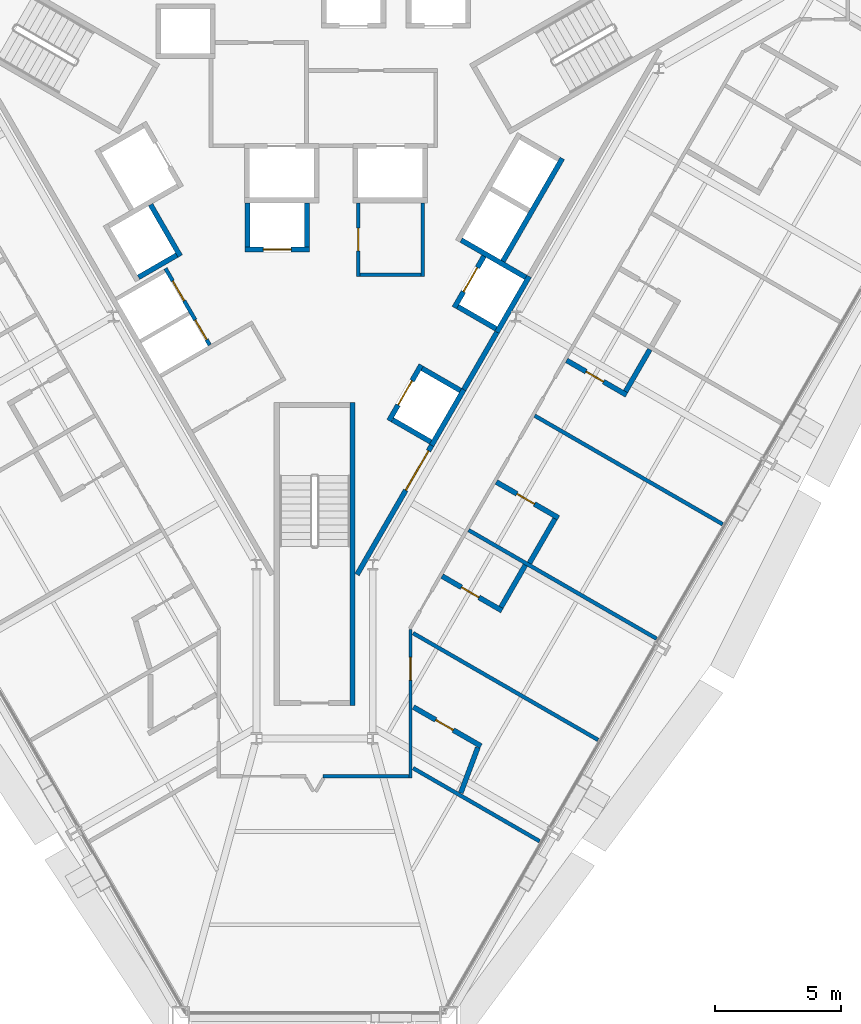
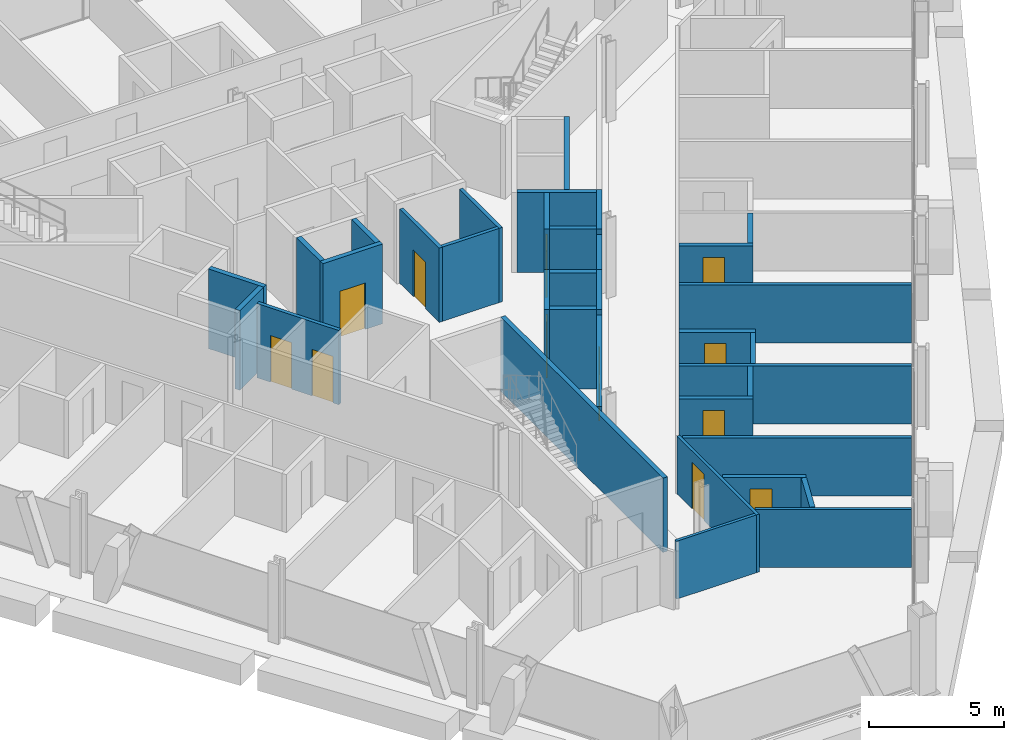
# One storey, part 11 of 17: 35 walls, 12 doors, 12 openings.
"""IFC4 building model written with IfcOpenShell, lengths in metres."""

from ifc_helpers import new_model, si_unit, direction, frame, frame_2d, origin, place, context, subcontext, project, spatial, rectangle, extrude, material, layer, layer_set, type_object, element, fill, save


model = new_model("IFC4")

# Units and contexts
model_context = context("Model", 3, precision=1e-05, world=origin(), true_north=direction((0.0, 1.0)))
body_context = subcontext(model_context, "Body", "Model", "MODEL_VIEW")
ifc_project = project(units=[si_unit("LENGTHUNIT", "METRE"), si_unit("AREAUNIT", "SQUARE_METRE"), si_unit("VOLUMEUNIT", "CUBIC_METRE"), si_unit("PLANEANGLEUNIT", "RADIAN"), si_unit("MASSUNIT", "GRAM", prefix="KILO")], contexts=[model_context])

# Site, building, storey
site_placement = place(None, origin())
site = spatial("IfcSite", under=ifc_project, at=site_placement, CompositionType="ELEMENT")
building_placement = place(site_placement, origin())
building = spatial("IfcBuilding", under=site, at=building_placement, Name="Verrane Prism Tower", CompositionType="ELEMENT")
storey_placement = place(building_placement, frame((0.0, 0.0, 40.39990234375)))
storey = spatial("IfcBuildingStorey", under=building, at=storey_placement, Name="L07", CompositionType="ELEMENT", Elevation=40.39990234375)

# Wall, opening, door
ifc_material_1 = material(Name="Gypsum board partition", Category="other")
ifc_layer_1 = layer(ifc_material_1, 0.199951171875)
ifc_layer_set_1 = layer_set([ifc_layer_1], Name="CW-200 core boundary wall 2 h")
wall_type_1 = type_object("IfcWallType", Name="CW-200 core boundary wall 2 h", PredefinedType="PARTITIONING", material=ifc_layer_set_1)
wall_1_placement = place(storey_placement, frame((1.677490234375, -14.814697265625, 0.0), z_axis=(0.0, 0.0, 1.0), x_axis=(0.49999445743, 0.866028603765, 0.0)))
wall_1 = element("IfcWall", 1, at=wall_1_placement, inside=storey, type_object=wall_type_1, Name="Core boundary wall CW3-010", PredefinedType="PARTITIONING", context=body_context, shape_type="SweptSolid", body=[
    extrude(rectangle(XDim=5.90478515625, YDim=0.199951171875, at=frame_2d((2.952392578125, 0.0))), origin(), (0.0, 0.0, 1.0), 3.35009765625),
])
opening_1_placement = place(wall_1_placement, frame((3.85498046875, 0.0, 0.0)))
opening_1 = element("IfcOpeningElement", 2, at=opening_1_placement, cuts=wall_1, Name="Opening D06530", PredefinedType="OPENING", context=body_context, shape_type="SweptSolid", body=[
    extrude(rectangle(XDim=1.800048828125, YDim=2.10009765625, at=frame_2d((0.89990234375, 1.050048828125))), frame((0.0, 0.10986328125, 0.0), z_axis=(0.0, -1.0, 0.0), x_axis=(1.0, 0.0, 0.0)), (0.0, 0.0, 1.0), 0.219970703125),
])
ifc_material_2 = material(Name="Timber veneered door leaf", Category="wood")
door_type_1 = type_object("IfcDoorType", Name="DR-1800x2100 FD60 double leaf lift lobby", OperationType="NOTDEFINED", PredefinedType="DOOR", material=ifc_material_2)
door_1_placement = place(opening_1_placement, origin())
door_1 = element("IfcDoor", 3, at=door_1_placement, inside=storey, type_object=door_type_1, Name="Lift lobby door D06530", OperationType="DOUBLE_DOOR_SINGLE_SWING", OverallHeight=2.10009765625, OverallWidth=1.800048828125, PredefinedType="DOOR", context=body_context, shape_type="SweptSolid", body=[
    extrude(rectangle(XDim=1.800048828125, YDim=2.10009765625, at=frame_2d((0.89990234375, 1.050048828125))), frame((0.0, 0.02490234375, 0.0), z_axis=(0.0, -1.0, 0.0), x_axis=(1.0, 0.0, 0.0)), (0.0, 0.0, 1.0), 0.050048828125),
])
fill(opening_1, door_1)

# Walls
wall_2_placement = place(storey_placement, frame((5.906005859375, -7.489990234375, 0.0), z_axis=(0.0, 0.0, 1.0), x_axis=(0.500252727967, 0.865879442048, 0.0)))
element("IfcWall", 4, at=wall_2_placement, inside=storey, type_object=wall_type_1, Name="Core boundary wall CW3-012", PredefinedType="PARTITIONING", context=body_context, shape_type="SweptSolid", body=[
    extrude(rectangle(XDim=2.616943359375, YDim=0.199951171875, at=frame_2d((1.30859375, 0.0))), origin(), (0.0, 0.0, 1.0), 3.35009765625),
])
ifc_material_3 = material(Name="Concrete C40/50", Category="concrete")
ifc_layer_2 = layer(ifc_material_3, 0.199951171875)
ifc_layer_set_2 = layer_set([ifc_layer_2], Name="CW-200 stair core wall concrete C40/50 3 h")
wall_type_2 = type_object("IfcWallType", Name="CW-200 stair core wall concrete C40/50 3 h", PredefinedType="PARTITIONING", material=ifc_layer_set_2)
wall_3_placement = place(storey_placement, frame((1.5, -8.0, 0.0), z_axis=(0.0, 0.0, 1.0), x_axis=(0.0, -1.0, 0.0)))
element("IfcWall", 5, at=wall_3_placement, inside=storey, type_object=wall_type_2, Name="Stair 3 enclosure wall", PredefinedType="PARTITIONING", context=body_context, shape_type="SweptSolid", body=[
    extrude(rectangle(XDim=12.0, YDim=0.199951171875, at=frame_2d((6.0, 0.0))), origin(), (0.0, 0.0, 1.0), 3.35009765625),
])

# Wall, opening, door
ifc_material_4 = material(Name="Gypsum board shaft wall assembly", Category="other")
ifc_layer_3 = layer(ifc_material_4, 0.199951171875)
ifc_layer_set_3 = layer_set([ifc_layer_3], Name="HW-200 lift shaft wall 2 h")
wall_type_3 = type_object("IfcWallType", Name="HW-200 lift shaft wall 2 h", PredefinedType="PARTITIONING", material=ifc_layer_set_3)
wall_4_placement = place(storey_placement, frame((-2.7548828125, -1.949951171875, 0.0), z_axis=(0.0, 0.0, 1.0), x_axis=(1.0, 0.0, 0.0)))
wall_4 = element("IfcWall", 6, at=wall_4_placement, inside=storey, type_object=wall_type_3, Name="Lift shaft wall", PredefinedType="PARTITIONING", context=body_context, shape_type="SweptSolid", body=[
    extrude(rectangle(XDim=2.5498046875, YDim=0.199951171875, at=frame_2d((1.27490234375, 0.0))), origin(), (0.0, 0.0, 1.0), 3.60009765625),
])
opening_2_placement = place(wall_4_placement, frame((0.72509765625, 0.0, 0.0)))
opening_2 = element("IfcOpeningElement", 7, at=opening_2_placement, cuts=wall_4, Name="Opening D06508", PredefinedType="OPENING", context=body_context, shape_type="SweptSolid", body=[
    extrude(rectangle(XDim=1.10009765625, YDim=2.10009765625, at=frame_2d((0.550048828125, 1.050048828125))), frame((0.0, 0.10986328125, 0.0), z_axis=(0.0, -1.0, 0.0), x_axis=(1.0, 0.0, 0.0)), (0.0, 0.0, 1.0), 0.219970703125),
])
ifc_material_5 = material(Name="Stainless steel sliding landing door", Category="steel")
door_type_2 = type_object("IfcDoorType", Name="LD-1100x2100 lift landing door FD90 sliding", OperationType="NOTDEFINED", PredefinedType="DOOR", material=ifc_material_5)
door_2_placement = place(opening_2_placement, origin())
door_2 = element("IfcDoor", 8, at=door_2_placement, inside=storey, type_object=door_type_2, Name="Bank A lift 2 landing door", OperationType="SLIDING_TO_RIGHT", OverallHeight=2.10009765625, OverallWidth=1.10009765625, PredefinedType="DOOR", context=body_context, shape_type="SweptSolid", body=[
    extrude(rectangle(XDim=1.10009765625, YDim=2.10009765625, at=frame_2d((0.550048828125, 1.050048828125))), frame((0.0, 0.02490234375, 0.0), z_axis=(0.0, -1.0, 0.0), x_axis=(1.0, 0.0, 0.0)), (0.0, 0.0, 1.0), 0.050048828125),
])
fill(opening_2, door_2)

# Walls
wall_5_placement = place(storey_placement, frame((-6.9697265625, -3.048095703125, 0.0), z_axis=(0.0, 0.0, 1.0), x_axis=(0.866036909293, 0.499980071345, 0.0)))
element("IfcWall", 9, at=wall_5_placement, inside=storey, type_object=wall_type_3, Name="Lift shaft wall", PredefinedType="PARTITIONING", context=body_context, shape_type="SweptSolid", body=[
    extrude(rectangle(XDim=1.75, YDim=0.199951171875, at=frame_2d((0.875, 0.0))), origin(), (0.0, 0.0, 1.0), 3.60009765625),
])
wall_6_placement = place(storey_placement, frame((4.63037109375, -9.69970703125, 0.0), z_axis=(0.0, 0.0, 1.0), x_axis=(0.500062241894, 0.865989465428, 0.0)))
element("IfcWall", 10, at=wall_6_placement, inside=storey, type_object=wall_type_3, Name="Lift shaft wall", PredefinedType="PARTITIONING", context=body_context, shape_type="SweptSolid", body=[
    extrude(rectangle(XDim=2.550048828125, YDim=0.199951171875, at=frame_2d((1.27490234375, 0.0))), origin(), (0.0, 0.0, 1.0), 3.60009765625),
])
wall_7_placement = place(storey_placement, frame((7.215576171875, -5.222412109375, 0.0), z_axis=(0.0, 0.0, 1.0), x_axis=(0.499990435942, 0.866030925526, 0.0)))
element("IfcWall", 11, at=wall_7_placement, inside=storey, type_object=wall_type_3, Name="Lift shaft wall", PredefinedType="PARTITIONING", context=body_context, shape_type="SweptSolid", body=[
    extrude(rectangle(XDim=2.5498046875, YDim=0.199951171875, at=frame_2d((1.27490234375, 0.0))), origin(), (0.0, 0.0, 1.0), 3.60009765625),
])
wall_8_placement = place(storey_placement, frame((7.451171875, -2.4140625, 0.0), z_axis=(0.0, 0.0, 1.0), x_axis=(0.500016218704, 0.866016039709, 0.0)))
element("IfcWall", 12, at=wall_8_placement, inside=storey, type_object=wall_type_3, Name="Lift shaft wall", PredefinedType="PARTITIONING", context=body_context, shape_type="SweptSolid", body=[
    extrude(rectangle(XDim=4.699951171875, YDim=0.199951171875, at=frame_2d((2.35009765625, 0.0))), origin(), (0.0, 0.0, 1.0), 3.60009765625),
])

# Wall, opening, door
wall_9_placement = place(storey_placement, frame((2.941650390625, -8.724853515625, 0.0), z_axis=(0.0, 0.0, 1.0), x_axis=(0.500020783669, 0.866013403995, 0.0)))
wall_9 = element("IfcWall", 13, at=wall_9_placement, inside=storey, type_object=wall_type_3, Name="Lift shaft wall", PredefinedType="PARTITIONING", context=body_context, shape_type="SweptSolid", body=[
    extrude(rectangle(XDim=2.55029296875, YDim=0.199951171875, at=frame_2d((1.275146484375, 0.0))), origin(), (0.0, 0.0, 1.0), 3.60009765625),
])
opening_3_placement = place(wall_9_placement, frame((0.72509765625, 0.0, 0.0)))
opening_3 = element("IfcOpeningElement", 14, at=opening_3_placement, cuts=wall_9, Name="Opening D06510", PredefinedType="OPENING", context=body_context, shape_type="SweptSolid", body=[
    extrude(rectangle(XDim=1.10009765625, YDim=2.10009765625, at=frame_2d((0.550048828125, 1.050048828125))), frame((0.0, 0.10986328125, 0.0), z_axis=(0.0, -1.0, 0.0), x_axis=(1.0, 0.0, 0.0)), (0.0, 0.0, 1.0), 0.219970703125),
])
door_3_placement = place(opening_3_placement, origin())
door_3 = element("IfcDoor", 15, at=door_3_placement, inside=storey, type_object=door_type_2, Name="Bank A lift 4 landing door", OperationType="SLIDING_TO_RIGHT", OverallHeight=2.10009765625, OverallWidth=1.10009765625, PredefinedType="DOOR", context=body_context, shape_type="SweptSolid", body=[
    extrude(rectangle(XDim=1.10009765625, YDim=2.10009765625, at=frame_2d((0.550048828125, 1.050048828125))), frame((0.0, 0.02490234375, 0.0), z_axis=(0.0, -1.0, 0.0), x_axis=(1.0, 0.0, 0.0)), (0.0, 0.0, 1.0), 0.050048828125),
])
fill(opening_3, door_3)

wall_10_placement = place(storey_placement, frame((5.52685546875, -4.247314453125, 0.0), z_axis=(0.0, 0.0, 1.0), x_axis=(0.499938297808, 0.866061024631, 0.0)))
wall_10 = element("IfcWall", 16, at=wall_10_placement, inside=storey, type_object=wall_type_3, Name="Lift shaft wall", PredefinedType="PARTITIONING", context=body_context, shape_type="SweptSolid", body=[
    extrude(rectangle(XDim=2.349853515625, YDim=0.199951171875, at=frame_2d((1.1748046875, 0.0))), origin(), (0.0, 0.0, 1.0), 3.60009765625),
])
opening_4_placement = place(wall_10_placement, frame((0.72509765625, 0.0, 0.0)))
opening_4 = element("IfcOpeningElement", 17, at=opening_4_placement, cuts=wall_10, Name="Opening D06511", PredefinedType="OPENING", context=body_context, shape_type="SweptSolid", body=[
    extrude(rectangle(XDim=1.10009765625, YDim=2.10009765625, at=frame_2d((0.550048828125, 1.050048828125))), frame((0.0, 0.10986328125, 0.0), z_axis=(0.0, -1.0, 0.0), x_axis=(1.0, 0.0, 0.0)), (0.0, 0.0, 1.0), 0.219970703125),
])
door_4_placement = place(opening_4_placement, origin())
door_4 = element("IfcDoor", 18, at=door_4_placement, inside=storey, type_object=door_type_2, Name="Bank A lift 5 landing door", OperationType="SLIDING_TO_LEFT", OverallHeight=2.10009765625, OverallWidth=1.10009765625, PredefinedType="DOOR", context=body_context, shape_type="SweptSolid", body=[
    extrude(rectangle(XDim=1.10009765625, YDim=2.10009765625, at=frame_2d((0.550048828125, 1.050048828125))), frame((0.0, 0.02490234375, 0.0), z_axis=(0.0, -1.0, 0.0), x_axis=(1.0, 0.0, 0.0)), (0.0, 0.0, 1.0), 0.050048828125),
])
fill(opening_4, door_4)

# Walls
for number, where, z_axis, x_axis, name in (
    (19, (-0.304931640625, -1.85009765625, 0.0), (0.0, 0.0, 1.0), (0.0, 1.0, 0.0), "Lift shaft wall"),
    (20, (-2.655029296875, -1.85009765625, 0.0), (0.0, 0.0, 1.0), (0.0, 1.0, 0.0), "Lift shaft wall"),
):
    element("IfcWall", number, at=place(storey_placement, frame(where, z_axis=z_axis, x_axis=x_axis)), inside=storey, type_object=wall_type_3, Name=name, PredefinedType="PARTITIONING", context=body_context, shape_type="SweptSolid", body=[
        extrude(rectangle(XDim=1.75, YDim=0.199951171875, at=frame_2d((0.875, 0.0))), origin(), (0.0, 0.0, 1.0), 3.60009765625),
    ])
wall_11_placement = place(storey_placement, frame((-5.317626953125, -2.209716796875, 0.0), z_axis=(0.0, 0.0, 1.0), x_axis=(-0.499938297808, 0.866061024631, 0.0)))
element("IfcWall", 21, at=wall_11_placement, inside=storey, type_object=wall_type_3, Name="Lift shaft wall", PredefinedType="PARTITIONING", context=body_context, shape_type="SweptSolid", body=[
    extrude(rectangle(XDim=2.349853515625, YDim=0.199951171875, at=frame_2d((1.1748046875, 0.0))), origin(), (0.0, 0.0, 1.0), 3.60009765625),
])
wall_12_placement = place(storey_placement, frame((8.35400390625, -3.050537109375, 0.0), z_axis=(0.0, 0.0, 1.0), x_axis=(-0.866060182126, 0.499939757307, 0.0)))
element("IfcWall", 22, at=wall_12_placement, inside=storey, type_object=wall_type_3, Name="Lift shaft wall", PredefinedType="PARTITIONING", context=body_context, shape_type="SweptSolid", body=[
    extrude(rectangle(XDim=2.949951171875, YDim=0.199951171875, at=frame_2d((1.47509765625, 0.0))), origin(), (0.0, 0.0, 1.0), 3.60009765625),
])
wall_13_placement = place(storey_placement, frame((7.178955078125, -5.085693359375, 0.0), z_axis=(0.0, 0.0, 1.0), x_axis=(-0.866036909293, 0.499980071345, 0.0)))
element("IfcWall", 23, at=wall_13_placement, inside=storey, type_object=wall_type_3, Name="Lift shaft wall", PredefinedType="PARTITIONING", context=body_context, shape_type="SweptSolid", body=[
    extrude(rectangle(XDim=1.75, YDim=0.199951171875, at=frame_2d((0.875, 0.0))), origin(), (0.0, 0.0, 1.0), 3.60009765625),
])
wall_14_placement = place(storey_placement, frame((5.768798828125, -7.528076171875, 0.0), z_axis=(0.0, 0.0, 1.0), x_axis=(-0.866002029911, 0.500040482552, 0.0)))
element("IfcWall", 24, at=wall_14_placement, inside=storey, type_object=wall_type_3, Name="Lift shaft wall", PredefinedType="PARTITIONING", context=body_context, shape_type="SweptSolid", body=[
    extrude(rectangle(XDim=1.749755859375, YDim=0.199951171875, at=frame_2d((0.875, 0.0))), origin(), (0.0, 0.0, 1.0), 3.60009765625),
])
wall_15_placement = place(storey_placement, frame((4.593994140625, -9.563232421875, 0.0), z_axis=(0.0, 0.0, 1.0), x_axis=(-0.866036909293, 0.499980071345, 0.0)))
element("IfcWall", 25, at=wall_15_placement, inside=storey, type_object=wall_type_3, Name="Lift shaft wall", PredefinedType="PARTITIONING", context=body_context, shape_type="SweptSolid", body=[
    extrude(rectangle(XDim=1.75, YDim=0.199951171875, at=frame_2d((0.875, 0.0))), origin(), (0.0, 0.0, 1.0), 3.60009765625),
])
ifc_material_6 = material(Name="Gypsum board partition", Category="other")
ifc_layer_4 = layer(ifc_material_6, 0.125)
ifc_layer_set_4 = layer_set([ifc_layer_4], Name="PW-125 corridor wall 1 h")
wall_type_4 = type_object("IfcWallType", Name="PW-125 corridor wall 1 h", PredefinedType="PARTITIONING", material=ifc_layer_set_4)
wall_16_placement = place(storey_placement, frame((0.33251953125, -22.797119140625, 0.0), z_axis=(0.0, 0.0, 1.0), x_axis=(1.0, 0.0, 0.0)))
element("IfcWall", 26, at=wall_16_placement, inside=storey, type_object=wall_type_4, Name="Corridor wall 056", PredefinedType="PARTITIONING", context=body_context, shape_type="SweptSolid", body=[
    extrude(rectangle(XDim=3.3994140625, YDim=0.125, at=frame_2d((1.69970703125, 0.0))), origin(), (0.0, 0.0, 1.0), 2.613037109375),
])

# Wall, opening, door
wall_17_placement = place(storey_placement, frame((3.797119140625, -16.989013671875, 0.0), z_axis=(0.0, 0.0, 1.0), x_axis=(0.0, -1.0, 0.0)))
wall_17 = element("IfcWall", 27, at=wall_17_placement, inside=storey, type_object=wall_type_4, Name="Corridor wall 058", PredefinedType="PARTITIONING", context=body_context, shape_type="SweptSolid", body=[
    extrude(rectangle(XDim=5.87060546875, YDim=0.125, at=frame_2d((2.935302734375, 0.0))), origin(), (0.0, 0.0, 1.0), 2.613037109375),
])
opening_5_placement = place(wall_17_placement, frame((1.10302734375, 0.0, 0.0)))
opening_5 = element("IfcOpeningElement", 28, at=opening_5_placement, cuts=wall_17, Name="Opening D06034", PredefinedType="OPENING", context=body_context, shape_type="SweptSolid", body=[
    extrude(rectangle(XDim=0.89990234375, YDim=2.10009765625, at=frame_2d((0.449951171875, 1.050048828125))), frame((0.0, 0.072509765625, 0.0), z_axis=(0.0, -1.0, 0.0), x_axis=(1.0, 0.0, 0.0)), (0.0, 0.0, 1.0), 0.14501953125),
])
ifc_material_7 = material(Name="Timber veneered door leaf", Category="wood")
door_type_3 = type_object("IfcDoorType", Name="DR-900x2100 FD20 single leaf unit", OperationType="NOTDEFINED", PredefinedType="DOOR", material=ifc_material_7)
door_5_placement = place(opening_5_placement, origin())
door_5 = element("IfcDoor", 29, at=door_5_placement, inside=storey, type_object=door_type_3, Name="Guest Room door", OperationType="SINGLE_SWING_LEFT", OverallHeight=2.10009765625, OverallWidth=0.89990234375, PredefinedType="DOOR", context=body_context, shape_type="SweptSolid", body=[
    extrude(rectangle(XDim=0.89990234375, YDim=2.10009765625, at=frame_2d((0.449951171875, 1.050048828125))), frame((0.0, 0.02490234375, 0.0), z_axis=(0.0, -1.0, 0.0), x_axis=(1.0, 0.0, 0.0)), (0.0, 0.0, 1.0), 0.050048828125),
])
fill(opening_5, door_5)

# Walls
ifc_material_8 = material(Name="Gypsum board partition", Category="other")
ifc_layer_5 = layer(ifc_material_8, 0.14990234375)
ifc_layer_set_5 = layer_set([ifc_layer_5], Name="PW-150 demising wall 1 h")
wall_type_5 = type_object("IfcWallType", Name="PW-150 demising wall 1 h", PredefinedType="PARTITIONING", material=ifc_layer_set_5)
wall_18_placement = place(storey_placement, frame((3.89697265625, -22.474853515625, 0.0), z_axis=(0.0, 0.0, 1.0), x_axis=(0.866025977343, -0.499999006567, 0.0)))
element("IfcWall", 30, at=wall_18_placement, inside=storey, type_object=wall_type_5, Name="Demising wall 059", PredefinedType="PARTITIONING", context=body_context, shape_type="SweptSolid", body=[
    extrude(rectangle(XDim=5.7822265625, YDim=0.14990234375, at=frame_2d((2.89111328125, 0.0))), origin(), (0.0, 0.0, 1.0), 2.613037109375),
])
wall_19_placement = place(storey_placement, frame((3.89697265625, -17.1318359375, 0.0), z_axis=(0.0, 0.0, 1.0), x_axis=(0.866084603656, -0.499897448793, 0.0)))
element("IfcWall", 31, at=wall_19_placement, inside=storey, type_object=wall_type_5, Name="Demising wall 061", PredefinedType="PARTITIONING", context=body_context, shape_type="SweptSolid", body=[
    extrude(rectangle(XDim=8.453857421875, YDim=0.14990234375, at=frame_2d((4.22705078125, 0.0))), origin(), (0.0, 0.0, 1.0), 2.613037109375),
])
wall_20_placement = place(storey_placement, frame((6.092041015625, -13.05517578125, 0.0), z_axis=(0.0, 0.0, 1.0), x_axis=(0.866002910178, -0.500038958046, 0.0)))
element("IfcWall", 32, at=wall_20_placement, inside=storey, type_object=wall_type_5, Name="Demising wall 066", PredefinedType="PARTITIONING", context=body_context, shape_type="SweptSolid", body=[
    extrude(rectangle(XDim=8.591064453125, YDim=0.14990234375, at=frame_2d((4.29541015625, 0.0))), origin(), (0.0, 0.0, 1.0), 2.613037109375),
])
wall_21_placement = place(storey_placement, frame((8.70703125, -8.525146484375, 0.0), z_axis=(0.0, 0.0, 1.0), x_axis=(0.866036528751, -0.499980730498, 0.0)))
element("IfcWall", 33, at=wall_21_placement, inside=storey, type_object=wall_type_5, Name="Demising wall 072", PredefinedType="PARTITIONING", context=body_context, shape_type="SweptSolid", body=[
    extrude(rectangle(XDim=8.591552734375, YDim=0.14990234375, at=frame_2d((4.2958984375, 0.0))), origin(), (0.0, 0.0, 1.0), 2.613037109375),
])

# Wall, opening, door
ifc_material_9 = material(Name="Gypsum board partition", Category="other")
ifc_layer_6 = layer(ifc_material_9, 0.199951171875)
ifc_layer_set_6 = layer_set([ifc_layer_6], Name="PW-200 plumbing wall")
wall_type_6 = type_object("IfcWallType", Name="PW-200 plumbing wall", PredefinedType="PARTITIONING", material=ifc_layer_set_6)
wall_22_placement = place(storey_placement, frame((6.58349609375, -21.60107421875, 0.0), z_axis=(0.0, 0.0, 1.0), x_axis=(-0.865981493415, 0.500076047279, 0.0)))
wall_22 = element("IfcWall", 34, at=wall_22_placement, inside=storey, type_object=wall_type_6, Name="Plumbing wall 060", PredefinedType="PARTITIONING", context=body_context, shape_type="SweptSolid", body=[
    extrude(rectangle(XDim=3.087890625, YDim=0.199951171875, at=frame_2d((1.5439453125, 0.0))), origin(), (0.0, 0.0, 1.0), 2.613037109375),
])
opening_6_placement = place(wall_22_placement, frame((1.267822265625, 0.0, 0.0)))
opening_6 = element("IfcOpeningElement", 35, at=opening_6_placement, cuts=wall_22, Name="Opening D06035", PredefinedType="OPENING", context=body_context, shape_type="SweptSolid", body=[
    extrude(rectangle(XDim=0.800048828125, YDim=2.10009765625, at=frame_2d((0.39990234375, 1.050048828125))), frame((0.0, 0.10986328125, 0.0), z_axis=(0.0, -1.0, 0.0), x_axis=(1.0, 0.0, 0.0)), (0.0, 0.0, 1.0), 0.219970703125),
])
ifc_material_10 = material(Name="Timber veneered door leaf", Category="wood")
door_type_4 = type_object("IfcDoorType", Name="DR-800x2100 single leaf bath", OperationType="NOTDEFINED", PredefinedType="DOOR", material=ifc_material_10)
door_6_placement = place(opening_6_placement, origin())
door_6 = element("IfcDoor", 36, at=door_6_placement, inside=storey, type_object=door_type_4, Name="En-Suite door", OperationType="SINGLE_SWING_RIGHT", OverallHeight=2.10009765625, OverallWidth=0.800048828125, PredefinedType="DOOR", context=body_context, shape_type="SweptSolid", body=[
    extrude(rectangle(XDim=0.800048828125, YDim=2.10009765625, at=frame_2d((0.39990234375, 1.050048828125))), frame((0.0, 0.02490234375, 0.0), z_axis=(0.0, -1.0, 0.0), x_axis=(1.0, 0.0, 0.0)), (0.0, 0.0, 1.0), 0.050048828125),
])
fill(opening_6, door_6)

wall_23_placement = place(storey_placement, frame((5.042236328125, -14.873291015625, 0.0), z_axis=(0.0, 0.0, 1.0), x_axis=(0.866005850709, -0.50003386539, 0.0)))
wall_23 = element("IfcWall", 37, at=wall_23_placement, inside=storey, type_object=wall_type_6, Name="Plumbing wall 063", PredefinedType="PARTITIONING", context=body_context, shape_type="SweptSolid", body=[
    extrude(rectangle(XDim=2.737060546875, YDim=0.199951171875, at=frame_2d((1.36865234375, 0.0))), origin(), (0.0, 0.0, 1.0), 2.613037109375),
])
opening_7_placement = place(wall_23_placement, frame((0.887451171875, 0.0, 0.0)))
opening_7 = element("IfcOpeningElement", 38, at=opening_7_placement, cuts=wall_23, Name="Opening D06037", PredefinedType="OPENING", context=body_context, shape_type="SweptSolid", body=[
    extrude(rectangle(XDim=0.800048828125, YDim=2.10009765625, at=frame_2d((0.39990234375, 1.050048828125))), frame((0.0, 0.10986328125, 0.0), z_axis=(0.0, -1.0, 0.0), x_axis=(1.0, 0.0, 0.0)), (0.0, 0.0, 1.0), 0.219970703125),
])
door_7_placement = place(opening_7_placement, origin())
door_7 = element("IfcDoor", 39, at=door_7_placement, inside=storey, type_object=door_type_4, Name="En-Suite door", OperationType="SINGLE_SWING_LEFT", OverallHeight=2.10009765625, OverallWidth=0.800048828125, PredefinedType="DOOR", context=body_context, shape_type="SweptSolid", body=[
    extrude(rectangle(XDim=0.800048828125, YDim=2.10009765625, at=frame_2d((0.39990234375, 1.050048828125))), frame((0.0, 0.02490234375, 0.0), z_axis=(0.0, -1.0, 0.0), x_axis=(1.0, 0.0, 0.0)), (0.0, 0.0, 1.0), 0.050048828125),
])
fill(opening_7, door_7)

# Wall
wall_24_placement = place(storey_placement, frame((5.782470703125, -23.457275390625, 0.0), z_axis=(0.0, 0.0, 1.0), x_axis=(0.350942351116, 0.936397066523, 0.0)))
element("IfcWall", 40, at=wall_24_placement, inside=storey, type_object=wall_type_6, Name="Plumbing wall 065", PredefinedType="PARTITIONING", context=body_context, shape_type="SweptSolid", body=[
    extrude(rectangle(XDim=1.920654296875, YDim=0.199951171875, at=frame_2d((0.96044921875, 0.0))), origin(), (0.0, 0.0, 1.0), 2.613037109375),
])

# Wall, opening, door
wall_25_placement = place(storey_placement, frame((9.649658203125, -12.569091796875, 0.0), z_axis=(0.0, 0.0, 1.0), x_axis=(-0.866010792954, 0.500025305846, 0.0)))
wall_25 = element("IfcWall", 41, at=wall_25_placement, inside=storey, type_object=wall_type_6, Name="Plumbing wall 067", PredefinedType="PARTITIONING", context=body_context, shape_type="SweptSolid", body=[
    extrude(rectangle(XDim=2.837646484375, YDim=0.199951171875, at=frame_2d((1.4189453125, 0.0))), origin(), (0.0, 0.0, 1.0), 2.613037109375),
])
opening_8_placement = place(wall_25_placement, frame((1.10009765625, 0.0, 0.0)))
opening_8 = element("IfcOpeningElement", 42, at=opening_8_placement, cuts=wall_25, Name="Opening D06039", PredefinedType="OPENING", context=body_context, shape_type="SweptSolid", body=[
    extrude(rectangle(XDim=0.800048828125, YDim=2.10009765625, at=frame_2d((0.39990234375, 1.050048828125))), frame((0.0, 0.10986328125, 0.0), z_axis=(0.0, -1.0, 0.0), x_axis=(1.0, 0.0, 0.0)), (0.0, 0.0, 1.0), 0.219970703125),
])
door_8_placement = place(opening_8_placement, origin())
door_8 = element("IfcDoor", 43, at=door_8_placement, inside=storey, type_object=door_type_4, Name="En-Suite door", OperationType="SINGLE_SWING_RIGHT", OverallHeight=2.10009765625, OverallWidth=0.800048828125, PredefinedType="DOOR", context=body_context, shape_type="SweptSolid", body=[
    extrude(rectangle(XDim=0.800048828125, YDim=2.10009765625, at=frame_2d((0.39990234375, 1.050048828125))), frame((0.0, 0.02490234375, 0.0), z_axis=(0.0, -1.0, 0.0), x_axis=(1.0, 0.0, 0.0)), (0.0, 0.0, 1.0), 0.050048828125),
])
fill(opening_8, door_8)

# Walls
wall_26_placement = place(storey_placement, frame((7.3759765625, -16.10546875, 0.0), z_axis=(0.0, 0.0, 1.0), x_axis=(0.500095816526, 0.865970077019, 0.0)))
element("IfcWall", 44, at=wall_26_placement, inside=storey, type_object=wall_type_6, Name="Plumbing wall 068", PredefinedType="PARTITIONING", context=body_context, shape_type="SweptSolid", body=[
    extrude(rectangle(XDim=1.92431640625, YDim=0.199951171875, at=frame_2d((0.962158203125, 0.0))), origin(), (0.0, 0.0, 1.0), 2.613037109375),
])
wall_27_placement = place(storey_placement, frame((8.50048828125, -14.359130859375, 0.0), z_axis=(0.0, 0.0, 1.0), x_axis=(0.500042536776, 0.866000843773, 0.0)))
element("IfcWall", 45, at=wall_27_placement, inside=storey, type_object=wall_type_6, Name="Plumbing wall 069", PredefinedType="PARTITIONING", context=body_context, shape_type="SweptSolid", body=[
    extrude(rectangle(XDim=2.024658203125, YDim=0.199951171875, at=frame_2d((1.01220703125, 0.0))), origin(), (0.0, 0.0, 1.0), 2.613037109375),
])

# Wall, opening, door
wall_28_placement = place(storey_placement, frame((9.97119140625, -6.336181640625, 0.0), z_axis=(0.0, 0.0, 1.0), x_axis=(0.86596722502, -0.50010075504, 0.0)))
wall_28 = element("IfcWall", 46, at=wall_28_placement, inside=storey, type_object=wall_type_6, Name="Plumbing wall 073", PredefinedType="PARTITIONING", context=body_context, shape_type="SweptSolid", body=[
    extrude(rectangle(XDim=2.7373046875, YDim=0.199951171875, at=frame_2d((1.36865234375, 0.0))), origin(), (0.0, 0.0, 1.0), 2.613037109375),
])
opening_9_placement = place(wall_28_placement, frame((0.887451171875, 0.0, 0.0)))
opening_9 = element("IfcOpeningElement", 47, at=opening_9_placement, cuts=wall_28, Name="Opening D06041", PredefinedType="OPENING", context=body_context, shape_type="SweptSolid", body=[
    extrude(rectangle(XDim=0.800048828125, YDim=2.10009765625, at=frame_2d((0.39990234375, 1.050048828125))), frame((0.0, 0.10986328125, 0.0), z_axis=(0.0, -1.0, 0.0), x_axis=(1.0, 0.0, 0.0)), (0.0, 0.0, 1.0), 0.219970703125),
])
door_9_placement = place(opening_9_placement, origin())
door_9 = element("IfcDoor", 48, at=door_9_placement, inside=storey, type_object=door_type_4, Name="En-Suite door", OperationType="SINGLE_SWING_LEFT", OverallHeight=2.10009765625, OverallWidth=0.800048828125, PredefinedType="DOOR", context=body_context, shape_type="SweptSolid", body=[
    extrude(rectangle(XDim=0.800048828125, YDim=2.10009765625, at=frame_2d((0.39990234375, 1.050048828125))), frame((0.0, 0.02490234375, 0.0), z_axis=(0.0, -1.0, 0.0), x_axis=(1.0, 0.0, 0.0)), (0.0, 0.0, 1.0), 0.050048828125),
])
fill(opening_9, door_9)

# Wall
wall_29_placement = place(storey_placement, frame((12.304931640625, -7.568359375, 0.0), z_axis=(0.0, 0.0, 1.0), x_axis=(0.500269123289, 0.865869969617, 0.0)))
element("IfcWall", 49, at=wall_29_placement, inside=storey, type_object=wall_type_6, Name="Plumbing wall 078", PredefinedType="PARTITIONING", context=body_context, shape_type="SweptSolid", body=[
    extrude(rectangle(XDim=1.919921875, YDim=0.199951171875, at=frame_2d((0.9599609375, 0.0))), origin(), (0.0, 0.0, 1.0), 2.613037109375),
])

# Wall, openings, doors
ifc_material_11 = material(Name="Gypsum board partition", Category="other")
ifc_layer_7 = layer(ifc_material_11, 0.14990234375)
ifc_layer_set_7 = layer_set([ifc_layer_7], Name="RS-150 riser enclosure wall 1 h")
wall_type_7 = type_object("IfcWallType", Name="RS-150 riser enclosure wall 1 h", PredefinedType="PARTITIONING", material=ifc_layer_set_7)
wall_30_placement = place(storey_placement, frame((-4.152099609375, -5.728759765625, 0.0), z_axis=(0.0, 0.0, 1.0), x_axis=(-0.500024287448, 0.866011380966, 0.0)))
wall_30 = element("IfcWall", 50, at=wall_30_placement, inside=storey, type_object=wall_type_7, Name="Riser wall RS3-016", PredefinedType="PARTITIONING", context=body_context, shape_type="SweptSolid", body=[
    extrude(rectangle(XDim=3.500732421875, YDim=0.14990234375, at=frame_2d((1.75048828125, 0.0))), origin(), (0.0, 0.0, 1.0), 3.35009765625),
])
opening_10_placement = place(wall_30_placement, frame((2.025634765625, 0.0, 0.0)))
opening_10 = element("IfcOpeningElement", 51, at=opening_10_placement, cuts=wall_30, Name="Opening D06525", PredefinedType="OPENING", context=body_context, shape_type="SweptSolid", body=[
    extrude(rectangle(XDim=0.89990234375, YDim=2.10009765625, at=frame_2d((0.449951171875, 1.050048828125))), frame((0.0, 0.0849609375, 0.0), z_axis=(0.0, -1.0, 0.0), x_axis=(1.0, 0.0, 0.0)), (0.0, 0.0, 1.0), 0.169921875),
])
opening_11_placement = place(wall_30_placement, frame((0.247802734375, 0.0, 0.0)))
opening_11 = element("IfcOpeningElement", 52, at=opening_11_placement, cuts=wall_30, Name="Opening D06526", PredefinedType="OPENING", context=body_context, shape_type="SweptSolid", body=[
    extrude(rectangle(XDim=0.89990234375, YDim=2.10009765625, at=frame_2d((0.449951171875, 1.050048828125))), frame((0.0, 0.0849609375, 0.0), z_axis=(0.0, -1.0, 0.0), x_axis=(1.0, 0.0, 0.0)), (0.0, 0.0, 1.0), 0.169921875),
])
ifc_material_12 = material(Name="Timber veneered door leaf", Category="wood")
door_type_5 = type_object("IfcDoorType", Name="DR-900x2100 FD60 single leaf riser", OperationType="NOTDEFINED", PredefinedType="DOOR", material=ifc_material_12)
door_10_placement = place(opening_10_placement, origin())
door_10 = element("IfcDoor", 53, at=door_10_placement, inside=storey, type_object=door_type_5, Name="Riser door D06525", OperationType="SINGLE_SWING_RIGHT", OverallHeight=2.10009765625, OverallWidth=0.89990234375, PredefinedType="DOOR", context=body_context, shape_type="SweptSolid", body=[
    extrude(rectangle(XDim=0.89990234375, YDim=2.10009765625, at=frame_2d((0.449951171875, 1.050048828125))), frame((0.0, 0.02490234375, 0.0), z_axis=(0.0, -1.0, 0.0), x_axis=(1.0, 0.0, 0.0)), (0.0, 0.0, 1.0), 0.050048828125),
])
fill(opening_10, door_10)
door_11_placement = place(opening_11_placement, origin())
door_11 = element("IfcDoor", 54, at=door_11_placement, inside=storey, type_object=door_type_5, Name="Riser door D06526", OperationType="SINGLE_SWING_LEFT", OverallHeight=2.10009765625, OverallWidth=0.89990234375, PredefinedType="DOOR", context=body_context, shape_type="SweptSolid", body=[
    extrude(rectangle(XDim=0.89990234375, YDim=2.10009765625, at=frame_2d((0.449951171875, 1.050048828125))), frame((0.0, 0.02490234375, 0.0), z_axis=(0.0, -1.0, 0.0), x_axis=(1.0, 0.0, 0.0)), (0.0, 0.0, 1.0), 0.050048828125),
])
fill(opening_11, door_11)

# Wall, opening, door
wall_31_placement = place(storey_placement, frame((1.72509765625, -0.10205078125, 0.0), z_axis=(0.0, 0.0, 1.0), x_axis=(0.0, -1.0, 0.0)))
wall_31 = element("IfcWall", 55, at=wall_31_placement, inside=storey, type_object=wall_type_7, Name="Riser wall RS3-019", PredefinedType="PARTITIONING", context=body_context, shape_type="SweptSolid", body=[
    extrude(rectangle(XDim=2.9228515625, YDim=0.14990234375, at=frame_2d((1.46142578125, 0.0))), origin(), (0.0, 0.0, 1.0), 3.35009765625),
])
opening_12_placement = place(wall_31_placement, frame((0.998046875, 0.0, 0.0)))
opening_12 = element("IfcOpeningElement", 56, at=opening_12_placement, cuts=wall_31, Name="Opening D06531", PredefinedType="OPENING", context=body_context, shape_type="SweptSolid", body=[
    extrude(rectangle(XDim=0.89990234375, YDim=2.10009765625, at=frame_2d((0.449951171875, 1.050048828125))), frame((0.0, 0.0849609375, 0.0), z_axis=(0.0, -1.0, 0.0), x_axis=(1.0, 0.0, 0.0)), (0.0, 0.0, 1.0), 0.169921875),
])
ifc_material_13 = material(Name="Timber veneered door leaf", Category="wood")
door_type_6 = type_object("IfcDoorType", Name="DR-900x2100 FD20 single leaf store", OperationType="NOTDEFINED", PredefinedType="DOOR", material=ifc_material_13)
door_12_placement = place(opening_12_placement, origin())
door_12 = element("IfcDoor", 57, at=door_12_placement, inside=storey, type_object=door_type_6, Name="Room door D06531", OperationType="SINGLE_SWING_LEFT", OverallHeight=2.10009765625, OverallWidth=0.89990234375, PredefinedType="DOOR", context=body_context, shape_type="SweptSolid", body=[
    extrude(rectangle(XDim=0.89990234375, YDim=2.10009765625, at=frame_2d((0.449951171875, 1.050048828125))), frame((0.0, 0.02490234375, 0.0), z_axis=(0.0, -1.0, 0.0), x_axis=(1.0, 0.0, 0.0)), (0.0, 0.0, 1.0), 0.050048828125),
])
fill(opening_12, door_12)

# Walls
wall_32_placement = place(storey_placement, frame((1.800048828125, -2.949951171875, 0.0), z_axis=(0.0, 0.0, 1.0), x_axis=(1.0, 0.0, 0.0)))
element("IfcWall", 58, at=wall_32_placement, inside=storey, type_object=wall_type_7, Name="Riser wall RS3-020", PredefinedType="PARTITIONING", context=body_context, shape_type="SweptSolid", body=[
    extrude(rectangle(XDim=2.39990234375, YDim=0.14990234375, at=frame_2d((1.199951171875, 0.0))), origin(), (0.0, 0.0, 1.0), 3.35009765625),
])
wall_33_placement = place(storey_placement, frame((4.27490234375, -3.02490234375, 0.0), z_axis=(0.0, 0.0, 1.0), x_axis=(0.0, 1.0, 0.0)))
element("IfcWall", 59, at=wall_33_placement, inside=storey, type_object=wall_type_7, Name="Riser wall RS3-021", PredefinedType="PARTITIONING", context=body_context, shape_type="SweptSolid", body=[
    extrude(rectangle(XDim=2.9228515625, YDim=0.14990234375, at=frame_2d((1.46142578125, 0.0))), origin(), (0.0, 0.0, 1.0), 3.35009765625),
])

save(model, "model.ifc")
